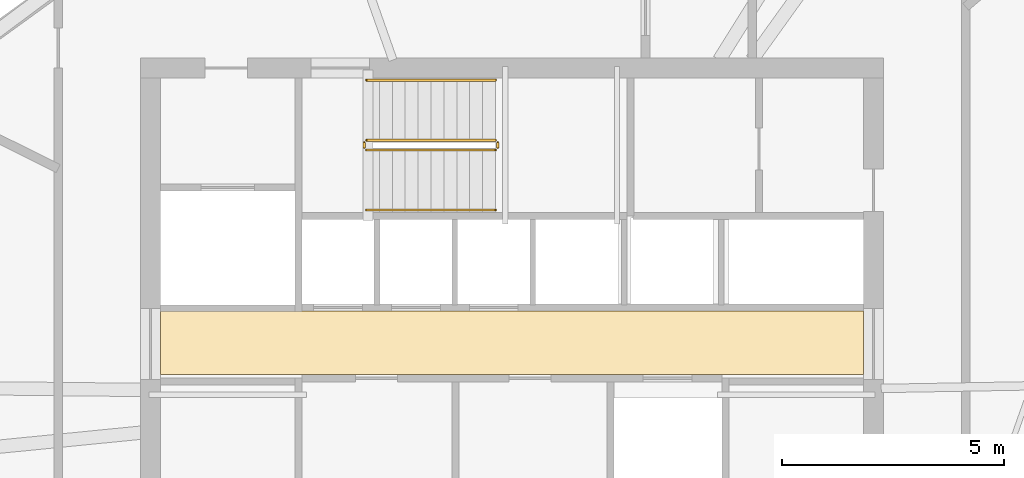
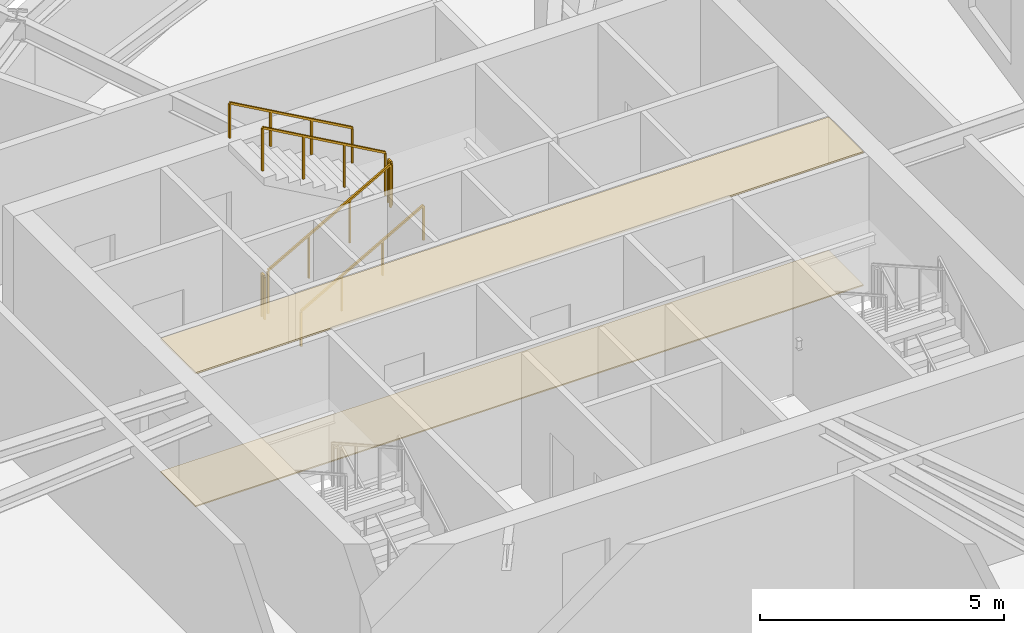
# One storey, part 13 of 14: 6 railings, 2 coverings.
"""IFC4 building model written with IfcOpenShell, lengths in metres."""

from ifc_helpers import new_model, si_unit, direction, frame, origin, origin_2d, place, context, subcontext, project, spatial, polyline, rectangle, outline, extrude, material, layer, layer_set, type_object, element, save


model = new_model("IFC4")

# Units and contexts
model_context = context("Model", 3, precision=1e-05, world=origin(), true_north=direction((0.0, 1.0)))
body_context = subcontext(model_context, "Body", "Model", "MODEL_VIEW")
ifc_project = project(units=[si_unit("LENGTHUNIT", "METRE"), si_unit("AREAUNIT", "SQUARE_METRE"), si_unit("VOLUMEUNIT", "CUBIC_METRE"), si_unit("PLANEANGLEUNIT", "RADIAN"), si_unit("MASSUNIT", "GRAM", prefix="KILO")], contexts=[model_context])

# Site, building, storey
site_placement = place(None, origin())
site = spatial("IfcSite", under=ifc_project, at=site_placement, CompositionType="ELEMENT")
building_placement = place(site_placement, origin())
building = spatial("IfcBuilding", under=site, at=building_placement, Name="Olszyna Solenne Hotel", CompositionType="ELEMENT")
storey_placement = place(building_placement, frame((0.0, 0.0, 259.699951171875)))
storey = spatial("IfcBuildingStorey", under=building, at=storey_placement, Name="L69", CompositionType="ELEMENT", Elevation=259.699951171875)

# Coverings
ifc_material_1 = material(Name="Mineral wool acoustic ceiling")
ifc_layer_1 = layer(ifc_material_1, 0.0400390625, Name="Mineral wool acoustic ceiling")
ifc_layer_set_1 = layer_set([ifc_layer_1], Name="Mineral wool acoustic ceiling")
covering_type_1 = type_object("IfcCoveringType", Name="CL-AC1", PredefinedType="CEILING", material=ifc_layer_set_1)
covering_1_placement = place(storey_placement, frame((0.0, 0.0, 3.320068359375)))
element("IfcCovering", 1, at=covering_1_placement, inside=storey, type_object=covering_type_1, Name="Lift lobby acoustic tile ceiling CL-L69-01", PredefinedType="CEILING", context=body_context, shape_type="SweptSolid", body=[
    extrude(outline(polyline([(30.10009765625, 27.030029296875), (45.89990234375, 27.030029296875), (45.89990234375, 28.4599609375), (30.10009765625, 28.4599609375), (30.10009765625, 27.030029296875)])), origin(), (0.0, 0.0, 1.0), 0.0400390625),
])
ifc_material_2 = material(Name="Ceramic floor tile")
ifc_layer_2 = layer(ifc_material_2, 0.030029296875, Name="Ceramic floor tile")
ifc_layer_set_2 = layer_set([ifc_layer_2], Name="Ceramic floor tile")
covering_type_2 = type_object("IfcCoveringType", Name="FL-TL1", PredefinedType="FLOORING", material=ifc_layer_set_2)
covering_2_placement = place(storey_placement, origin())
element("IfcCovering", 2, at=covering_2_placement, inside=storey, type_object=covering_type_2, Name="Lift lobby stoneware floor finish FLR-L69-01", PredefinedType="FLOORING", context=body_context, shape_type="SweptSolid", body=[
    extrude(outline(polyline([(30.10009765625, 27.030029296875), (45.89990234375, 27.030029296875), (45.89990234375, 28.4599609375), (30.10009765625, 28.4599609375), (30.10009765625, 27.030029296875)])), origin(), (0.0, 0.0, 1.0), 0.030029296875),
])

# Railings
ifc_material_3 = material(Name="Anodised bronze aluminium", Category="aluminium")
railing_type_1 = type_object("IfcRailingType", Name="GR-110", PredefinedType="BALUSTRADE", material=ifc_material_3)
railing_1_placement = place(storey_placement, frame((34.72998046875, 32.080078125, 0.16357421875)))
element("IfcRailing", 3, at=railing_1_placement, inside=storey, type_object=railing_type_1, Name="L69 ST3 stair guard 1", PredefinedType="BALUSTRADE", context=body_context, shape_type="SweptSolid", body=[
    extrude(rectangle(XDim=0.048095703125, YDim=0.048095703125, at=origin_2d()), frame((0.0, 0.0, 1.076171875), z_axis=(0.870897200241, 0.0, 0.491465224214), x_axis=(0.0, 1.0, 0.0)), (0.0, 0.0, 1.0), 3.329833984375),
    extrude(rectangle(XDim=0.0419921875, YDim=0.0419921875, at=origin_2d()), origin(), (0.0, 0.0, 1.0), 1.052001953125),
    extrude(rectangle(XDim=0.0419921875, YDim=0.0419921875, at=origin_2d()), frame((0.966552734375, 0.0, 0.54541015625)), (0.0, 0.0, 1.0), 1.052001953125),
    extrude(rectangle(XDim=0.0419921875, YDim=0.0419921875, at=origin_2d()), frame((1.933349609375, 0.0, 1.091064453125)), (0.0, 0.0, 1.0), 1.052001953125),
    extrude(rectangle(XDim=0.0419921875, YDim=0.0419921875, at=origin_2d()), frame((2.89990234375, 0.0, 1.636474609375)), (0.0, 0.0, 1.0), 1.052001953125),
])
railing_2_placement = place(storey_placement, frame((37.679931640625, 32.1298828125, 1.800048828125)))
element("IfcRailing", 4, at=railing_2_placement, inside=storey, type_object=railing_type_1, Name="L69 ST3 stair guard 2", PredefinedType="BALUSTRADE", context=body_context, shape_type="SweptSolid", body=[
    extrude(rectangle(XDim=0.048095703125, YDim=0.048095703125, at=origin_2d()), frame((0.0, 0.0, 1.076171875), z_axis=(0.0, 1.0, 0.0), x_axis=(-1.0, 0.0, 0.0)), (0.0, 0.0, 1.0), 0.1201171875),
    extrude(rectangle(XDim=0.0419921875, YDim=0.0419921875, at=origin_2d()), origin(), (0.0, 0.0, 1.0), 1.052001953125),
    extrude(rectangle(XDim=0.0419921875, YDim=0.0419921875, at=origin_2d()), frame((0.0, 0.1201171875, 0.0)), (0.0, 0.0, 1.0), 1.052001953125),
])
railing_3_placement = place(storey_placement, frame((37.6298828125, 32.300048828125, 1.963623046875)))
element("IfcRailing", 5, at=railing_3_placement, inside=storey, type_object=railing_type_1, Name="L69 ST3 stair guard 3", PredefinedType="BALUSTRADE", context=body_context, shape_type="SweptSolid", body=[
    extrude(rectangle(XDim=0.048095703125, YDim=0.048095703125, at=origin_2d()), frame((0.0, 0.0, 1.076171875), z_axis=(-0.870897200241, 0.0, 0.491465224214), x_axis=(0.0, -1.0, 0.0)), (0.0, 0.0, 1.0), 3.329833984375),
    extrude(rectangle(XDim=0.0419921875, YDim=0.0419921875, at=origin_2d()), origin(), (0.0, 0.0, 1.0), 1.052001953125),
    extrude(rectangle(XDim=0.0419921875, YDim=0.0419921875, at=origin_2d()), frame((-0.966552734375, 0.0, 0.54541015625)), (0.0, 0.0, 1.0), 1.052001953125),
    extrude(rectangle(XDim=0.0419921875, YDim=0.0419921875, at=origin_2d()), frame((-1.933349609375, 0.0, 1.091064453125)), (0.0, 0.0, 1.0), 1.052001953125),
    extrude(rectangle(XDim=0.0419921875, YDim=0.0419921875, at=origin_2d()), frame((-2.89990234375, 0.0, 1.636474609375)), (0.0, 0.0, 1.0), 1.052001953125),
])
railing_4_placement = place(storey_placement, frame((34.679931640625, 32.1298828125, 0.0)))
element("IfcRailing", 6, at=railing_4_placement, inside=storey, type_object=railing_type_1, Name="L69 ST3 stair guard 4", PredefinedType="BALUSTRADE", context=body_context, shape_type="SweptSolid", body=[
    extrude(rectangle(XDim=0.048095703125, YDim=0.048095703125, at=origin_2d()), frame((0.0, 0.0, 1.076171875), z_axis=(0.0, 1.0, 0.0), x_axis=(-1.0, 0.0, 0.0)), (0.0, 0.0, 1.0), 0.1201171875),
    extrude(rectangle(XDim=0.0419921875, YDim=0.0419921875, at=origin_2d()), origin(), (0.0, 0.0, 1.0), 1.052001953125),
    extrude(rectangle(XDim=0.0419921875, YDim=0.0419921875, at=origin_2d()), frame((0.0, 0.1201171875, 0.0)), (0.0, 0.0, 1.0), 1.052001953125),
])
ifc_material_4 = material(Name="Steel S355J2", Category="steel")
railing_type_2 = type_object("IfcRailingType", Name="HR-090", PredefinedType="HANDRAIL", material=ifc_material_4)
railing_5_placement = place(storey_placement, frame((34.72998046875, 30.72998046875, 0.16357421875)))
element("IfcRailing", 7, at=railing_5_placement, inside=storey, type_object=railing_type_2, Name="L69 ST3 stair handrail 1", PredefinedType="HANDRAIL", context=body_context, shape_type="SweptSolid", body=[
    extrude(rectangle(XDim=0.048095703125, YDim=0.048095703125, at=origin_2d()), frame((0.0, 0.0, 0.8759765625), z_axis=(0.870897200241, 0.0, 0.491465224214), x_axis=(0.0, 1.0, 0.0)), (0.0, 0.0, 1.0), 3.329833984375),
    extrude(rectangle(XDim=0.0419921875, YDim=0.0419921875, at=origin_2d()), origin(), (0.0, 0.0, 1.0), 0.851806640625),
    extrude(rectangle(XDim=0.0419921875, YDim=0.0419921875, at=origin_2d()), frame((0.966552734375, 0.0, 0.54541015625)), (0.0, 0.0, 1.0), 0.851806640625),
    extrude(rectangle(XDim=0.0419921875, YDim=0.0419921875, at=origin_2d()), frame((1.933349609375, 0.0, 1.091064453125)), (0.0, 0.0, 1.0), 0.851806640625),
    extrude(rectangle(XDim=0.0419921875, YDim=0.0419921875, at=origin_2d()), frame((2.89990234375, 0.0, 1.636474609375)), (0.0, 0.0, 1.0), 0.851806640625),
])
railing_6_placement = place(storey_placement, frame((37.6298828125, 33.64990234375, 1.963623046875)))
element("IfcRailing", 8, at=railing_6_placement, inside=storey, type_object=railing_type_2, Name="L69 ST3 stair handrail 2", PredefinedType="HANDRAIL", context=body_context, shape_type="SweptSolid", body=[
    extrude(rectangle(XDim=0.048095703125, YDim=0.048095703125, at=origin_2d()), frame((0.0, 0.0, 0.8759765625), z_axis=(-0.870897200241, 0.0, 0.491465224214), x_axis=(0.0, -1.0, 0.0)), (0.0, 0.0, 1.0), 3.329833984375),
    extrude(rectangle(XDim=0.0419921875, YDim=0.0419921875, at=origin_2d()), origin(), (0.0, 0.0, 1.0), 0.851806640625),
    extrude(rectangle(XDim=0.0419921875, YDim=0.0419921875, at=origin_2d()), frame((-0.966552734375, 0.0, 0.54541015625)), (0.0, 0.0, 1.0), 0.851806640625),
    extrude(rectangle(XDim=0.0419921875, YDim=0.0419921875, at=origin_2d()), frame((-1.933349609375, 0.0, 1.091064453125)), (0.0, 0.0, 1.0), 0.851806640625),
    extrude(rectangle(XDim=0.0419921875, YDim=0.0419921875, at=origin_2d()), frame((-2.89990234375, 0.0, 1.636474609375)), (0.0, 0.0, 1.0), 0.851806640625),
])

save(model, "model.ifc")
